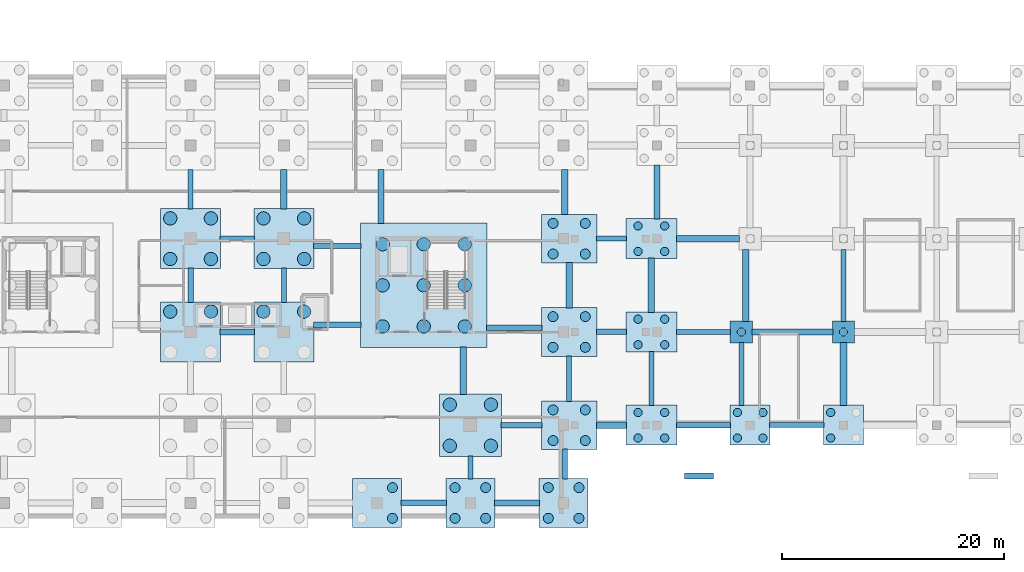
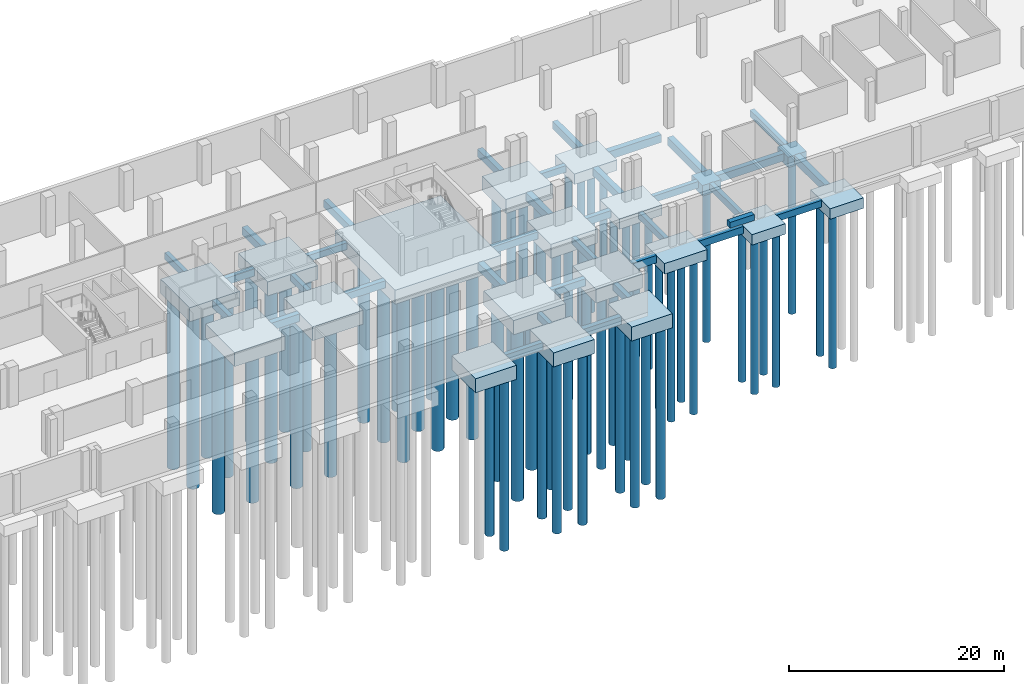
# One storey, part 4 of 17: 67 piles, 54 footings.
"""IFC4 building model written with IfcOpenShell, lengths in metres."""

import ifcopenshell
import ifcopenshell.guid

model = None  # the IFC model being written
_history = None  # IfcOwnerHistory: only IFC2X3 demands one
_inside = {}  # id of a spatial element -> (the spatial element, [elements in it])
_under = {}  # id of a project, library or spatial element -> (it, [spatial elements below it])
_declared = {}  # id of a project -> (the project, [libraries it declares])
_typed = {}  # id of a type object -> (the type object, [elements of that type])
_made_of = {}  # id of a material, layer set ... -> (it, [elements and type objects made of it])


def new_model(schema):
    """Start an empty IFC model of exactly this schema.

    Asked for "IFC4X3", IfcOpenShell would pick the latest addendum, in which some entities
    have other attributes; the version numbers below select the first issue.
    IFC2X3 requires an IfcOwnerHistory on every rooted entity: one is made here for all.
    """
    global model, _history
    if schema == "IFC4X3":
        model = ifcopenshell.file(schema_version=(4, 3, 0, 0))
    else:
        model = ifcopenshell.file(schema=schema)
    _inside.clear()
    _under.clear()
    _declared.clear()
    _typed.clear()
    _made_of.clear()
    _history = None
    if model.schema == "IFC2X3":
        org = make("IfcOrganization", Name="unknown")
        user = make(
            "IfcPersonAndOrganization",
            ThePerson=make("IfcPerson", FamilyName="unknown"),
            TheOrganization=org,
        )
        app = make(
            "IfcApplication",
            ApplicationDeveloper=org,
            Version="unknown",
            ApplicationFullName="unknown",
            ApplicationIdentifier="unknown",
        )
        _history = make(
            "IfcOwnerHistory",
            OwningUser=user,
            OwningApplication=app,
            ChangeAction="ADDED",
            CreationDate=0,
        )
    return model


def make(cls, **values):
    """One entity of the class cls with the attributes given. An attribute that is None is left unset."""
    return model.create_entity(
        cls, **{name: value for name, value in values.items() if value is not None}
    )


def rooted(cls, **values):
    """An entity with a GlobalId (a new one), such as an element, a storey or a relation."""
    return make(cls, GlobalId=ifcopenshell.guid.new(), OwnerHistory=_history, **values)


def si_unit(unit_type, name, prefix=None):
    """IfcSIUnit, for example si_unit("LENGTHUNIT", "METRE", prefix="MILLI")."""
    return make("IfcSIUnit", UnitType=unit_type, Prefix=prefix, Name=name)


def assignment(units):
    """IfcUnitAssignment: the units of a project."""
    return None if units is None else make("IfcUnitAssignment", Units=units)


def point(xyz):
    """IfcCartesianPoint."""
    return None if xyz is None else make("IfcCartesianPoint", Coordinates=xyz)


def direction(xyz):
    """IfcDirection."""
    return None if xyz is None else make("IfcDirection", DirectionRatios=xyz)


def frame(location, z_axis=None, x_axis=None):
    """IfcAxis2Placement3D, a coordinate frame: its origin and axes. An axis left out is left unset."""
    return make(
        "IfcAxis2Placement3D",
        Location=point(location),
        Axis=direction(z_axis),
        RefDirection=direction(x_axis),
    )


def frame_2d(location, x_axis=None):
    """IfcAxis2Placement2D, a coordinate frame in the plane: its origin and x axis."""
    return make(
        "IfcAxis2Placement2D", Location=point(location), RefDirection=direction(x_axis)
    )


def origin():
    """The frame at (0, 0, 0) with its axes left unset."""
    return frame((0.0, 0.0, 0.0))


def origin_2d():
    """The frame at (0, 0) in the plane with its x axis left unset."""
    return frame_2d((0.0, 0.0))


def place(relative_to, where):
    """IfcLocalPlacement: puts the frame where relative to a parent placement (None: the world)."""
    return make(
        "IfcLocalPlacement", PlacementRelTo=relative_to, RelativePlacement=where
    )


def context(
    kind, dimensions, precision=None, world=None, true_north=None, identifier=None
):
    """IfcGeometricRepresentationContext, for example the 3D "Model" context."""
    return make(
        "IfcGeometricRepresentationContext",
        ContextIdentifier=identifier,
        ContextType=kind,
        CoordinateSpaceDimension=dimensions,
        Precision=precision,
        WorldCoordinateSystem=world,
        TrueNorth=true_north,
    )


def subcontext(parent, identifier, kind, view, scale=None):
    """IfcGeometricRepresentationSubContext, for example "Body" below "Model"."""
    return make(
        "IfcGeometricRepresentationSubContext",
        ContextIdentifier=identifier,
        ContextType=kind,
        ParentContext=parent,
        TargetScale=scale,
        TargetView=view,
    )


def project(units=None, contexts=None):
    """IfcProject with its units and contexts."""
    return rooted(
        "IfcProject",
        Name="project",
        RepresentationContexts=contexts,
        UnitsInContext=assignment(units),
    )


def spatial(cls, under=None, at=None, **own):
    """A site, building, storey or space (cls), placed at a placement, below another one or the project."""
    s = rooted(cls, ObjectPlacement=at, **own)
    if under is not None:
        _under.setdefault(under.id(), (under, []))[1].append(s)
    return s


def polyline(points):
    """IfcPolyline through the points."""
    return make("IfcPolyline", Points=[point(p) for p in points])


def profile(cls, at=None, kind="AREA", **sizes):
    """A parametric profile (cls). Its sizes go by their IFC names, for example OverallWidth=200.0."""
    return make(cls, ProfileType=kind, Position=at, **sizes)


def rectangle(**sizes):
    """IfcRectangleProfileDef."""
    return profile("IfcRectangleProfileDef", **sizes)


def circle(**sizes):
    """IfcCircleProfileDef."""
    return profile("IfcCircleProfileDef", **sizes)


def outline(outer, holes=None, kind="AREA"):
    """IfcArbitraryClosedProfileDef: a profile drawn as a closed curve; with holes, ...WithVoids."""
    if holes is None:
        return make("IfcArbitraryClosedProfileDef", ProfileType=kind, OuterCurve=outer)
    return make(
        "IfcArbitraryProfileDefWithVoids",
        ProfileType=kind,
        OuterCurve=outer,
        InnerCurves=holes,
    )


def extrude(swept, where, along, depth):
    """IfcExtrudedAreaSolid: the profile swept, set in the frame where, extruded along a direction by depth."""
    return make(
        "IfcExtrudedAreaSolid",
        SweptArea=swept,
        Position=where,
        ExtrudedDirection=direction(along),
        Depth=depth,
    )


def shape(context_of_items, identifier, shape_type, items):
    """IfcShapeRepresentation: the items that make up one representation, for example the "Body"."""
    return make(
        "IfcShapeRepresentation",
        ContextOfItems=context_of_items,
        RepresentationIdentifier=identifier,
        RepresentationType=shape_type,
        Items=items,
    )


def material(Name=None, Category=None):
    """IfcMaterial."""
    return make("IfcMaterial", Name=Name, Category=Category)


def material_profile(
    of_material, cross_section, Name=None, Category=None, Priority=None
):
    """IfcMaterialProfile: a cross section and its material."""
    return make(
        "IfcMaterialProfile",
        Name=Name,
        Material=of_material,
        Profile=cross_section,
        Priority=Priority,
        Category=Category,
    )


def profile_set(profiles, Name=None, composite=None):
    """IfcMaterialProfileSet."""
    return make(
        "IfcMaterialProfileSet",
        Name=Name,
        MaterialProfiles=profiles,
        CompositeProfile=composite,
    )


def made_of(thing, what):
    """Note that an element or type object is made of a material, layer set ...; save() writes the relation."""
    if what is not None:
        _made_of.setdefault(what.id(), (what, []))[1].append(thing)
    return thing


def type_object(cls, material=None, **own):
    """A type object (cls), such as IfcWallType, which elements share."""
    return made_of(rooted(cls, **own), material)


def element(
    cls,
    number,
    at=None,
    inside=None,
    cuts=None,
    type_object=None,
    material=None,
    context=None,
    identifier="Body",
    shape_type=None,
    held_by="IfcProductDefinitionShape",
    body=None,
    shapes=None,
    **own,
):
    """One element of the class cls, such as IfcWall. Its Tag is "e" and its number.

    at: its placement. inside: the storey or other place that contains it. cuts: it is an
    opening in that element (IfcRelVoidsElement). A single representation is given by context,
    identifier, shape_type and body (its items); several are given by shapes. held_by: the class
    of the entity that holds the representations. save() writes the other relations.
    """
    e = rooted(cls, Tag="e%d" % number, ObjectPlacement=at, **own)
    if body is not None:
        shapes = [shape(context, identifier, shape_type, body)]
    if shapes is not None:
        e.Representation = make(held_by, Representations=shapes)
    if inside is not None:
        _inside.setdefault(inside.id(), (inside, []))[1].append(e)
    if cuts is not None:
        rooted(
            "IfcRelVoidsElement", RelatingBuildingElement=cuts, RelatedOpeningElement=e
        )
    if type_object is not None:
        _typed.setdefault(type_object.id(), (type_object, []))[1].append(e)
    return made_of(e, material)


def aggregate(whole, parts):
    """IfcRelAggregates: a whole, such as a stair, and the parts it consists of."""
    return rooted("IfcRelAggregates", RelatingObject=whole, RelatedObjects=parts)


def save(model, path):
    """Write the relations noted so far, then the file.

    IfcRelAggregates (storeys below a building ...), IfcRelContainedInSpatialStructure (elements
    in a storey), IfcRelDefinesByType, IfcRelAssociatesMaterial and IfcRelDeclares: one each for
    every whole, place, type object, material and project.
    """
    for whole, parts in _under.values():
        aggregate(whole, parts)
    for where, things in _inside.values():
        rooted(
            "IfcRelContainedInSpatialStructure",
            RelatedElements=things,
            RelatingStructure=where,
        )
    for kind, things in _typed.values():
        rooted("IfcRelDefinesByType", RelatedObjects=things, RelatingType=kind)
    for what, things in _made_of.values():
        rooted("IfcRelAssociatesMaterial", RelatedObjects=things, RelatingMaterial=what)
    for by, libraries in _declared.values():
        rooted("IfcRelDeclares", RelatingContext=by, RelatedDefinitions=libraries)
    model.write(path)


model = new_model("IFC4")

# Units and contexts
model_context = context("Model", 3, precision=1e-05, world=origin(), true_north=direction((0.0, 1.0)))
body_context = subcontext(model_context, "Body", "Model", "MODEL_VIEW")
ifc_project = project(units=[si_unit("LENGTHUNIT", "METRE"), si_unit("AREAUNIT", "SQUARE_METRE"), si_unit("VOLUMEUNIT", "CUBIC_METRE"), si_unit("PLANEANGLEUNIT", "RADIAN"), si_unit("MASSUNIT", "GRAM", prefix="KILO")], contexts=[model_context])

# Site, building, storey
site_placement = place(None, origin())
site = spatial("IfcSite", under=ifc_project, at=site_placement, CompositionType="ELEMENT")
building_placement = place(site_placement, origin())
building = spatial("IfcBuilding", under=site, at=building_placement, Name="Telukmera Botanical Conservatory", CompositionType="ELEMENT")
storey_placement = place(building_placement, frame((0.0, 0.0, -4.5)))
storey = spatial("IfcBuildingStorey", under=building, at=storey_placement, Name="B1", CompositionType="ELEMENT", Elevation=-4.5)

# Footings
ifc_material_1 = material(Name="Concrete C50/60", Category="concrete")
footing_type_1 = type_object("IfcFootingType", Name="Cap_PC1", PredefinedType="PILE_CAP", material=ifc_material_1)
for number, where, z_axis, x_axis, name in (
    (1, (125.199951171875, 26.0, -1.64990234375), (0.0, 0.0, 1.0), (1.0, 0.0, 0.0), "Pile Cap G059"),
    (2, (134.39990234375, 26.0, -1.64990234375), (0.0, 0.0, 1.0), (1.0, 0.0, 0.0), "Pile Cap G062"),
):
    element("IfcFooting", number, at=place(storey_placement, frame(where, z_axis=z_axis, x_axis=x_axis)), inside=storey, type_object=footing_type_1, Name=name, PredefinedType="PILE_CAP", context=body_context, shape_type="SweptSolid", body=[
        extrude(rectangle(XDim=2.0, YDim=2.0, at=origin_2d()), origin(), (0.0, 0.0, 1.0), 1.199951171875),
    ])
footing_type_2 = type_object("IfcFootingType", Name="Cap_PC10", PredefinedType="PILE_CAP", material=ifc_material_1)
footing_1_placement = place(storey_placement, frame((100.800048828125, 17.60009765625, -2.050048828125), z_axis=(0.0, 0.0, 1.0), x_axis=(1.0, 0.0, 0.0)))
element("IfcFooting", 3, at=footing_1_placement, inside=storey, type_object=footing_type_2, Name="Pile Cap G030", PredefinedType="PILE_CAP", context=body_context, shape_type="SweptSolid", body=[
    extrude(rectangle(XDim=5.60009765625, YDim=5.60009765625, at=origin_2d()), origin(), (0.0, 0.0, 1.0), 1.60009765625),
])
footing_type_3 = type_object("IfcFootingType", Name="Cap_PC12", PredefinedType="PILE_CAP", material=ifc_material_1)
footing_2_placement = place(storey_placement, frame((96.60009765625, 30.199951171875, -2.050048828125), z_axis=(0.0, 0.0, 1.0), x_axis=(1.0, 0.0, 0.0)))
element("IfcFooting", 4, at=footing_2_placement, inside=storey, type_object=footing_type_3, Name="Core Pile Cap Mat CORE_C2", PredefinedType="PILE_CAP", context=body_context, shape_type="SweptSolid", body=[
    extrude(rectangle(XDim=11.39990234375, YDim=11.199951171875, at=origin_2d()), origin(), (0.0, 0.0, 1.0), 1.60009765625),
])
footing_type_4 = type_object("IfcFootingType", Name="Cap_PC4", PredefinedType="PILE_CAP", material=ifc_material_1)
for number, where, z_axis, x_axis, name in (
    (5, (126.0, 17.60009765625, -1.64990234375), (0.0, 0.0, 1.0), (1.0, 0.0, 0.0), "Pile Cap G044"),
    (6, (134.39990234375, 17.60009765625, -1.64990234375), (0.0, 0.0, 1.0), (1.0, 0.0, 0.0), "Pile Cap G046"),
):
    element("IfcFooting", number, at=place(storey_placement, frame(where, z_axis=z_axis, x_axis=x_axis)), inside=storey, type_object=footing_type_4, Name=name, PredefinedType="PILE_CAP", context=body_context, shape_type="SweptSolid", body=[
        extrude(rectangle(XDim=3.60009765625, YDim=3.60009765625, at=origin_2d()), origin(), (0.0, 0.0, 1.0), 1.199951171875),
    ])
footing_type_5 = type_object("IfcFootingType", Name="Cap_PC5", PredefinedType="PILE_CAP", material=ifc_material_1)
for number, where, z_axis, x_axis, name in (
    (7, (117.10009765625, 17.60009765625, -1.64990234375), (0.0, 0.0, 1.0), (1.0, 0.0, 0.0), "Pile Cap G039"),
    (8, (117.10009765625, 26.0, -1.64990234375), (0.0, 0.0, 1.0), (1.0, 0.0, 0.0), "Pile Cap G040"),
    (9, (117.10009765625, 34.39990234375, -1.64990234375), (0.0, 0.0, 1.0), (1.0, 0.0, 0.0), "Pile Cap G041"),
):
    element("IfcFooting", number, at=place(storey_placement, frame(where, z_axis=z_axis, x_axis=x_axis)), inside=storey, type_object=footing_type_5, Name=name, PredefinedType="PILE_CAP", context=body_context, shape_type="SweptSolid", body=[
        extrude(rectangle(XDim=4.60009765625, YDim=3.60009765625, at=origin_2d()), origin(), (0.0, 0.0, 1.0), 1.199951171875),
    ])
footing_type_6 = type_object("IfcFootingType", Name="Cap_PC7", PredefinedType="PILE_CAP", material=ifc_material_1)
for number, where, z_axis, x_axis, name in (
    (10, (92.39990234375, 10.60009765625, -2.050048828125), (0.0, 0.0, 1.0), (1.0, 0.0, 0.0), "Pile Cap G026"),
    (11, (100.800048828125, 10.60009765625, -2.050048828125), (0.0, 0.0, 1.0), (1.0, 0.0, 0.0), "Pile Cap G029"),
    (12, (109.199951171875, 10.60009765625, -2.050048828125), (0.0, 0.0, 1.0), (1.0, 0.0, 0.0), "Pile Cap G033"),
):
    element("IfcFooting", number, at=place(storey_placement, frame(where, z_axis=z_axis, x_axis=x_axis)), inside=storey, type_object=footing_type_6, Name=name, PredefinedType="PILE_CAP", context=body_context, shape_type="SweptSolid", body=[
        extrude(rectangle(XDim=4.39990234375, YDim=4.39990234375, at=origin_2d()), origin(), (0.0, 0.0, 1.0), 1.60009765625),
    ])
footing_type_7 = type_object("IfcFootingType", Name="Cap_PC8", PredefinedType="PILE_CAP", material=ifc_material_1)
for number, where, z_axis, x_axis, name in (
    (13, (109.699951171875, 17.60009765625, -2.050048828125), (0.0, 0.0, 1.0), (1.0, 0.0, 0.0), "Pile Cap G034"),
    (14, (109.699951171875, 26.0, -2.050048828125), (0.0, 0.0, 1.0), (1.0, 0.0, 0.0), "Pile Cap G035"),
    (15, (109.699951171875, 34.39990234375, -2.050048828125), (0.0, 0.0, 1.0), (1.0, 0.0, 0.0), "Pile Cap G036"),
):
    element("IfcFooting", number, at=place(storey_placement, frame(where, z_axis=z_axis, x_axis=x_axis)), inside=storey, type_object=footing_type_7, Name=name, PredefinedType="PILE_CAP", context=body_context, shape_type="SweptSolid", body=[
        extrude(rectangle(XDim=5.0, YDim=4.39990234375, at=origin_2d()), origin(), (0.0, 0.0, 1.0), 1.60009765625),
    ])
footing_type_8 = type_object("IfcFootingType", Name="Cap_PC9", PredefinedType="PILE_CAP", material=ifc_material_1)
for number, where, z_axis, x_axis, name in (
    (16, (75.60009765625, 26.0, -2.050048828125), (0.0, 0.0, 1.0), (1.0, 0.0, 0.0), "Pile Cap G016"),
    (17, (75.60009765625, 34.39990234375, -2.050048828125), (0.0, 0.0, 1.0), (1.0, 0.0, 0.0), "Pile Cap G017"),
    (18, (84.0, 26.0, -2.050048828125), (0.0, 0.0, 1.0), (1.0, 0.0, 0.0), "Pile Cap G022"),
    (19, (84.0, 34.39990234375, -2.050048828125), (0.0, 0.0, 1.0), (1.0, 0.0, 0.0), "Pile Cap G023"),
):
    element("IfcFooting", number, at=place(storey_placement, frame(where, z_axis=z_axis, x_axis=x_axis)), inside=storey, type_object=footing_type_8, Name=name, PredefinedType="PILE_CAP", context=body_context, shape_type="SweptSolid", body=[
        extrude(rectangle(XDim=5.39990234375, YDim=5.39990234375, at=origin_2d()), origin(), (0.0, 0.0, 1.0), 1.60009765625),
    ])
ifc_material_2 = material(Name="Concrete C40/50", Category="concrete")
ifc_material_profile_1 = material_profile(ifc_material_2, rectangle(XDim=0.60009765625, YDim=0.89990234375, at=origin_2d()), Name="RC 600x900")
ifc_profile_set_1 = profile_set([ifc_material_profile_1], Name="Concrete C40/50")
footing_type_9 = type_object("IfcFootingType", Name="GroundBeam_GB1", PredefinedType="FOOTING_BEAM", material=ifc_profile_set_1)
footing_3_placement = place(storey_placement, frame((119.360107421875, 34.39990234375, -0.89990234375), z_axis=(1.0, 0.0, 0.0), x_axis=(0.0, 1.0, 0.0)))
element("IfcFooting", 20, at=footing_3_placement, inside=storey, type_object=footing_type_9, Name="Ground Tie Beam GBX-040", PredefinedType="FOOTING_BEAM", context=body_context, shape_type="SweptSolid", body=[
    extrude(rectangle(XDim=0.60009765625, YDim=0.89990234375, at=origin_2d()), origin(), (0.0, 0.0, 1.0), 5.679931640625),
])
footing_4_placement = place(storey_placement, frame((84.0, 37.06005859375, -0.89990234375), z_axis=(0.0, 1.0, 0.0), x_axis=(-1.0, 0.0, 0.0)))
element("IfcFooting", 21, at=footing_4_placement, inside=storey, type_object=footing_type_9, Name="Ground Tie Beam GBY-144", PredefinedType="FOOTING_BEAM", context=body_context, shape_type="SweptSolid", body=[
    extrude(rectangle(XDim=0.60009765625, YDim=0.89990234375, at=origin_2d()), origin(), (0.0, 0.0, 1.0), 3.579833984375),
])
footing_5_placement = place(storey_placement, frame((100.14990234375, 20.360107421875, -0.89990234375), z_axis=(0.0, 1.0, 0.0), x_axis=(-1.0, 0.0, 0.0)))
element("IfcFooting", 22, at=footing_5_placement, inside=storey, type_object=footing_type_9, Name="Ground Tie Beam GBY-148", PredefinedType="FOOTING_BEAM", context=body_context, shape_type="SweptSolid", body=[
    extrude(rectangle(XDim=0.60009765625, YDim=0.89990234375, at=origin_2d()), origin(), (0.0, 0.0, 1.0), 4.27978515625),
])
footing_6_placement = place(storey_placement, frame((109.699951171875, 28.159912109375, -0.89990234375), z_axis=(0.0, 1.0, 0.0), x_axis=(-1.0, 0.0, 0.0)))
element("IfcFooting", 23, at=footing_6_placement, inside=storey, type_object=footing_type_9, Name="Ground Tie Beam GBY-152", PredefinedType="FOOTING_BEAM", context=body_context, shape_type="SweptSolid", body=[
    extrude(rectangle(XDim=0.60009765625, YDim=0.89990234375, at=origin_2d()), origin(), (0.0, 0.0, 1.0), 4.080078125),
])
footing_7_placement = place(storey_placement, frame((117.10009765625, 27.760009765625, -0.89990234375), z_axis=(0.0, 1.0, 0.0), x_axis=(-1.0, 0.0, 0.0)))
element("IfcFooting", 24, at=footing_7_placement, inside=storey, type_object=footing_type_9, Name="Ground Tie Beam GBY-156", PredefinedType="FOOTING_BEAM", context=body_context, shape_type="SweptSolid", body=[
    extrude(rectangle(XDim=0.60009765625, YDim=0.89990234375, at=origin_2d()), origin(), (0.0, 0.0, 1.0), 4.8798828125),
])
footing_8_placement = place(storey_placement, frame((134.39990234375, 19.360107421875, -0.89990234375), z_axis=(0.0, 1.0, 0.0), x_axis=(-1.0, 0.0, 0.0)))
element("IfcFooting", 25, at=footing_8_placement, inside=storey, type_object=footing_type_9, Name="Ground Tie Beam GBY-160", PredefinedType="FOOTING_BEAM", context=body_context, shape_type="SweptSolid", body=[
    extrude(rectangle(XDim=0.60009765625, YDim=0.89990234375, at=origin_2d()), origin(), (0.0, 0.0, 1.0), 5.679931640625),
])
footing_9_placement = place(storey_placement, frame((125.60009765625, 26.9599609375, -0.89990234375), z_axis=(0.0, 1.0, 0.0), x_axis=(-1.0, 0.0, 0.0)))
element("IfcFooting", 26, at=footing_9_placement, inside=storey, type_object=footing_type_9, Name="Ground Tie Beam GBY-168", PredefinedType="FOOTING_BEAM", context=body_context, shape_type="SweptSolid", body=[
    extrude(rectangle(XDim=0.60009765625, YDim=0.89990234375, at=origin_2d()), origin(), (0.0, 0.0, 1.0), 6.47998046875),
])
ifc_material_profile_2 = material_profile(ifc_material_2, rectangle(XDim=0.550048828125, YDim=0.85009765625, at=origin_2d()), Name="RC 550x850")
ifc_profile_set_2 = profile_set([ifc_material_profile_2], Name="Concrete C40/50")
footing_type_10 = type_object("IfcFootingType", Name="GroundBeam_GB2", PredefinedType="FOOTING_BEAM", material=ifc_profile_set_2)
footing_10_placement = place(storey_placement, frame((78.260009765625, 26.0, -0.875), z_axis=(1.0, 0.0, 0.0), x_axis=(0.0, 1.0, 0.0)))
element("IfcFooting", 27, at=footing_10_placement, inside=storey, type_object=footing_type_10, Name="Ground Tie Beam GBX-017", PredefinedType="FOOTING_BEAM", context=body_context, shape_type="SweptSolid", body=[
    extrude(rectangle(XDim=0.550048828125, YDim=0.85009765625, at=origin_2d()), origin(), (0.0, 0.0, 1.0), 3.080078125),
])
footing_11_placement = place(storey_placement, frame((102.9599609375, 10.60009765625, -0.875), z_axis=(1.0, 0.0, 0.0), x_axis=(0.0, 1.0, 0.0)))
element("IfcFooting", 28, at=footing_11_placement, inside=storey, type_object=footing_type_10, Name="Ground Tie Beam GBX-029", PredefinedType="FOOTING_BEAM", context=body_context, shape_type="SweptSolid", body=[
    extrude(rectangle(XDim=0.550048828125, YDim=0.85009765625, at=origin_2d()), origin(), (0.0, 0.0, 1.0), 4.080078125),
])
footing_12_placement = place(storey_placement, frame((112.159912109375, 17.60009765625, -0.875), z_axis=(1.0, 0.0, 0.0), x_axis=(0.0, 1.0, 0.0)))
element("IfcFooting", 29, at=footing_12_placement, inside=storey, type_object=footing_type_10, Name="Ground Tie Beam GBX-033", PredefinedType="FOOTING_BEAM", context=body_context, shape_type="SweptSolid", body=[
    extrude(rectangle(XDim=0.550048828125, YDim=0.85009765625, at=origin_2d()), origin(), (0.0, 0.0, 1.0), 2.68017578125),
])
footing_13_placement = place(storey_placement, frame((126.159912109375, 26.0, -0.875), z_axis=(1.0, 0.0, 0.0), x_axis=(0.0, 1.0, 0.0)))
element("IfcFooting", 30, at=footing_13_placement, inside=storey, type_object=footing_type_10, Name="Ground Tie Beam GBX-053", PredefinedType="FOOTING_BEAM", context=body_context, shape_type="SweptSolid", body=[
    extrude(rectangle(XDim=0.550048828125, YDim=0.85009765625, at=origin_2d()), origin(), (0.0, 0.0, 1.0), 7.280029296875),
])
footing_14_placement = place(storey_placement, frame((92.75, 35.760009765625, -0.875), z_axis=(0.0, 1.0, 0.0), x_axis=(-1.0, 0.0, 0.0)))
element("IfcFooting", 31, at=footing_14_placement, inside=storey, type_object=footing_type_10, Name="Ground Tie Beam GBY-125", PredefinedType="FOOTING_BEAM", context=body_context, shape_type="SweptSolid", body=[
    extrude(rectangle(XDim=0.550048828125, YDim=0.85009765625, at=origin_2d()), origin(), (0.0, 0.0, 1.0), 4.8798828125),
])
footing_15_placement = place(storey_placement, frame((109.300048828125, 36.56005859375, -0.875), z_axis=(0.0, 1.0, 0.0), x_axis=(-1.0, 0.0, 0.0)))
element("IfcFooting", 32, at=footing_15_placement, inside=storey, type_object=footing_type_10, Name="Ground Tie Beam GBY-153", PredefinedType="FOOTING_BEAM", context=body_context, shape_type="SweptSolid", body=[
    extrude(rectangle(XDim=0.550048828125, YDim=0.85009765625, at=origin_2d()), origin(), (0.0, 0.0, 1.0), 4.079833984375),
])
footing_16_placement = place(storey_placement, frame((117.60009765625, 36.159912109375, -0.875), z_axis=(0.0, 1.0, 0.0), x_axis=(-1.0, 0.0, 0.0)))
element("IfcFooting", 33, at=footing_16_placement, inside=storey, type_object=footing_type_10, Name="Ground Tie Beam GBY-157", PredefinedType="FOOTING_BEAM", context=body_context, shape_type="SweptSolid", body=[
    extrude(rectangle(XDim=0.550048828125, YDim=0.85009765625, at=origin_2d()), origin(), (0.0, 0.0, 1.0), 4.880126953125),
])
ifc_material_profile_3 = material_profile(ifc_material_2, rectangle(XDim=0.5, YDim=0.800048828125, at=origin_2d()), Name="RC 500x800")
ifc_profile_set_3 = profile_set([ifc_material_profile_3], Name="Concrete C40/50")
footing_type_11 = type_object("IfcFootingType", Name="GroundBeam_GB3", PredefinedType="FOOTING_BEAM", material=ifc_profile_set_3)
footing_17_placement = place(storey_placement, frame((102.260009765625, 26.39990234375, -0.85009765625), z_axis=(1.0, 0.0, 0.0), x_axis=(0.0, 1.0, 0.0)))
element("IfcFooting", 34, at=footing_17_placement, inside=storey, type_object=footing_type_11, Name="Ground Tie Beam GBX-002", PredefinedType="FOOTING_BEAM", context=body_context, shape_type="SweptSolid", body=[
    extrude(rectangle(XDim=0.5, YDim=0.800048828125, at=origin_2d()), origin(), (0.0, 0.0, 1.0), 4.97998046875),
])
footing_18_placement = place(storey_placement, frame((78.260009765625, 34.39990234375, -0.85009765625), z_axis=(1.0, 0.0, 0.0), x_axis=(0.0, 1.0, 0.0)))
element("IfcFooting", 35, at=footing_18_placement, inside=storey, type_object=footing_type_11, Name="Ground Tie Beam GBX-018", PredefinedType="FOOTING_BEAM", context=body_context, shape_type="SweptSolid", body=[
    extrude(rectangle(XDim=0.5, YDim=0.800048828125, at=origin_2d()), origin(), (0.0, 0.0, 1.0), 3.080078125),
])
footing_19_placement = place(storey_placement, frame((86.659912109375, 26.64990234375, -0.85009765625), z_axis=(1.0, 0.0, 0.0), x_axis=(0.0, 1.0, 0.0)))
element("IfcFooting", 36, at=footing_19_placement, inside=storey, type_object=footing_type_11, Name="Ground Tie Beam GBX-022", PredefinedType="FOOTING_BEAM", context=body_context, shape_type="SweptSolid", body=[
    extrude(rectangle(XDim=0.5, YDim=0.800048828125, at=origin_2d()), origin(), (0.0, 0.0, 1.0), 4.280029296875),
])
footing_20_placement = place(storey_placement, frame((94.56005859375, 10.60009765625, -0.85009765625), z_axis=(1.0, 0.0, 0.0), x_axis=(0.0, 1.0, 0.0)))
element("IfcFooting", 37, at=footing_20_placement, inside=storey, type_object=footing_type_11, Name="Ground Tie Beam GBX-026", PredefinedType="FOOTING_BEAM", context=body_context, shape_type="SweptSolid", body=[
    extrude(rectangle(XDim=0.5, YDim=0.800048828125, at=origin_2d()), origin(), (0.0, 0.0, 1.0), 4.079833984375),
])
footing_21_placement = place(storey_placement, frame((103.56005859375, 17.60009765625, -0.85009765625), z_axis=(1.0, 0.0, 0.0), x_axis=(0.0, 1.0, 0.0)))
element("IfcFooting", 38, at=footing_21_placement, inside=storey, type_object=footing_type_11, Name="Ground Tie Beam GBX-030", PredefinedType="FOOTING_BEAM", context=body_context, shape_type="SweptSolid", body=[
    extrude(rectangle(XDim=0.5, YDim=0.800048828125, at=origin_2d()), origin(), (0.0, 0.0, 1.0), 3.679931640625),
])
footing_22_placement = place(storey_placement, frame((112.159912109375, 26.0, -0.85009765625), z_axis=(1.0, 0.0, 0.0), x_axis=(0.0, 1.0, 0.0)))
element("IfcFooting", 39, at=footing_22_placement, inside=storey, type_object=footing_type_11, Name="Ground Tie Beam GBX-034", PredefinedType="FOOTING_BEAM", context=body_context, shape_type="SweptSolid", body=[
    extrude(rectangle(XDim=0.5, YDim=0.800048828125, at=origin_2d()), origin(), (0.0, 0.0, 1.0), 2.68017578125),
])
footing_23_placement = place(storey_placement, frame((119.360107421875, 17.60009765625, -0.85009765625), z_axis=(1.0, 0.0, 0.0), x_axis=(0.0, 1.0, 0.0)))
element("IfcFooting", 40, at=footing_23_placement, inside=storey, type_object=footing_type_11, Name="Ground Tie Beam GBX-038", PredefinedType="FOOTING_BEAM", context=body_context, shape_type="SweptSolid", body=[
    extrude(rectangle(XDim=0.5, YDim=0.800048828125, at=origin_2d()), origin(), (0.0, 0.0, 1.0), 4.8798828125),
])
footing_24_placement = place(storey_placement, frame((75.60009765625, 28.659912109375, -0.85009765625), z_axis=(0.0, 1.0, 0.0), x_axis=(-1.0, 0.0, 0.0)))
element("IfcFooting", 41, at=footing_24_placement, inside=storey, type_object=footing_type_11, Name="Ground Tie Beam GBY-138", PredefinedType="FOOTING_BEAM", context=body_context, shape_type="SweptSolid", body=[
    extrude(rectangle(XDim=0.5, YDim=0.800048828125, at=origin_2d()), origin(), (0.0, 0.0, 1.0), 3.080078125),
])
footing_25_placement = place(storey_placement, frame((109.300048828125, 12.760009765625, -0.85009765625), z_axis=(0.0, 1.0, 0.0), x_axis=(-1.0, 0.0, 0.0)))
element("IfcFooting", 42, at=footing_25_placement, inside=storey, type_object=footing_type_11, Name="Ground Tie Beam GBY-150", PredefinedType="FOOTING_BEAM", context=body_context, shape_type="SweptSolid", body=[
    extrude(rectangle(XDim=0.5, YDim=0.800048828125, at=origin_2d()), origin(), (0.0, 0.0, 1.0), 2.679931640625),
])
ifc_material_profile_4 = material_profile(ifc_material_2, rectangle(XDim=0.449951171875, YDim=0.75, at=origin_2d()), Name="RC 450x750")
ifc_profile_set_4 = profile_set([ifc_material_profile_4], Name="Concrete C40/50")
footing_type_12 = type_object("IfcFootingType", Name="GroundBeam_GB4", PredefinedType="FOOTING_BEAM", material=ifc_profile_set_4)
footing_26_placement = place(storey_placement, frame((86.659912109375, 33.75, -0.824951171875), z_axis=(1.0, 0.0, 0.0), x_axis=(0.0, 1.0, 0.0)))
element("IfcFooting", 43, at=footing_26_placement, inside=storey, type_object=footing_type_12, Name="Ground Tie Beam GBX-023", PredefinedType="FOOTING_BEAM", context=body_context, shape_type="SweptSolid", body=[
    extrude(rectangle(XDim=0.449951171875, YDim=0.75, at=origin_2d()), origin(), (0.0, 0.0, 1.0), 4.280029296875),
])
footing_27_placement = place(storey_placement, frame((112.159912109375, 34.39990234375, -0.824951171875), z_axis=(1.0, 0.0, 0.0), x_axis=(0.0, 1.0, 0.0)))
element("IfcFooting", 44, at=footing_27_placement, inside=storey, type_object=footing_type_12, Name="Ground Tie Beam GBX-035", PredefinedType="FOOTING_BEAM", context=body_context, shape_type="SweptSolid", body=[
    extrude(rectangle(XDim=0.449951171875, YDim=0.75, at=origin_2d()), origin(), (0.0, 0.0, 1.0), 2.68017578125),
])
for number, where, z_axis, x_axis, name in (
    (45, (119.360107421875, 26.0, -0.824951171875), (1.0, 0.0, 0.0), (0.0, 1.0, 0.0), "Ground Tie Beam GBX-039"),
    (46, (127.760009765625, 17.60009765625, -0.824951171875), (1.0, 0.0, 0.0), (0.0, 1.0, 0.0), "Ground Tie Beam GBX-043"),
):
    element("IfcFooting", number, at=place(storey_placement, frame(where, z_axis=z_axis, x_axis=x_axis)), inside=storey, type_object=footing_type_12, Name=name, PredefinedType="FOOTING_BEAM", context=body_context, shape_type="SweptSolid", body=[
        extrude(rectangle(XDim=0.449951171875, YDim=0.75, at=origin_2d()), origin(), (0.0, 0.0, 1.0), 4.8798828125),
    ])
footing_28_placement = place(storey_placement, frame((75.60009765625, 37.06005859375, -0.824951171875), z_axis=(0.0, 1.0, 0.0), x_axis=(-1.0, 0.0, 0.0)))
element("IfcFooting", 47, at=footing_28_placement, inside=storey, type_object=footing_type_12, Name="Ground Tie Beam GBY-139", PredefinedType="FOOTING_BEAM", context=body_context, shape_type="SweptSolid", body=[
    extrude(rectangle(XDim=0.449951171875, YDim=0.75, at=origin_2d()), origin(), (0.0, 0.0, 1.0), 3.579833984375),
])
footing_29_placement = place(storey_placement, frame((84.0, 28.659912109375, -0.824951171875), z_axis=(0.0, 1.0, 0.0), x_axis=(-1.0, 0.0, 0.0)))
element("IfcFooting", 48, at=footing_29_placement, inside=storey, type_object=footing_type_12, Name="Ground Tie Beam GBY-143", PredefinedType="FOOTING_BEAM", context=body_context, shape_type="SweptSolid", body=[
    extrude(rectangle(XDim=0.449951171875, YDim=0.75, at=origin_2d()), origin(), (0.0, 0.0, 1.0), 3.080078125),
])
footing_30_placement = place(storey_placement, frame((100.800048828125, 12.760009765625, -0.824951171875), z_axis=(0.0, 1.0, 0.0), x_axis=(-1.0, 0.0, 0.0)))
element("IfcFooting", 49, at=footing_30_placement, inside=storey, type_object=footing_type_12, Name="Ground Tie Beam GBY-147", PredefinedType="FOOTING_BEAM", context=body_context, shape_type="SweptSolid", body=[
    extrude(rectangle(XDim=0.449951171875, YDim=0.75, at=origin_2d()), origin(), (0.0, 0.0, 1.0), 2.080078125),
])
footing_31_placement = place(storey_placement, frame((109.699951171875, 19.760009765625, -0.824951171875), z_axis=(0.0, 1.0, 0.0), x_axis=(-1.0, 0.0, 0.0)))
element("IfcFooting", 50, at=footing_31_placement, inside=storey, type_object=footing_type_12, Name="Ground Tie Beam GBY-151", PredefinedType="FOOTING_BEAM", context=body_context, shape_type="SweptSolid", body=[
    extrude(rectangle(XDim=0.449951171875, YDim=0.75, at=origin_2d()), origin(), (0.0, 0.0, 1.0), 4.080078125),
])
footing_32_placement = place(storey_placement, frame((117.10009765625, 19.360107421875, -0.824951171875), z_axis=(0.0, 1.0, 0.0), x_axis=(-1.0, 0.0, 0.0)))
element("IfcFooting", 51, at=footing_32_placement, inside=storey, type_object=footing_type_12, Name="Ground Tie Beam GBY-155", PredefinedType="FOOTING_BEAM", context=body_context, shape_type="SweptSolid", body=[
    extrude(rectangle(XDim=0.449951171875, YDim=0.75, at=origin_2d()), origin(), (0.0, 0.0, 1.0), 4.8798828125),
])
footing_33_placement = place(storey_placement, frame((125.199951171875, 19.360107421875, -0.824951171875), z_axis=(0.0, 1.0, 0.0), x_axis=(-1.0, 0.0, 0.0)))
element("IfcFooting", 52, at=footing_33_placement, inside=storey, type_object=footing_type_12, Name="Ground Tie Beam GBY-159", PredefinedType="FOOTING_BEAM", context=body_context, shape_type="SweptSolid", body=[
    extrude(rectangle(XDim=0.449951171875, YDim=0.75, at=origin_2d()), origin(), (0.0, 0.0, 1.0), 5.679931640625),
])
footing_34_placement = place(storey_placement, frame((134.39990234375, 26.9599609375, -0.824951171875), z_axis=(0.0, 1.0, 0.0), x_axis=(-1.0, 0.0, 0.0)))
element("IfcFooting", 53, at=footing_34_placement, inside=storey, type_object=footing_type_12, Name="Ground Tie Beam GBY-171", PredefinedType="FOOTING_BEAM", context=body_context, shape_type="SweptSolid", body=[
    extrude(rectangle(XDim=0.449951171875, YDim=0.75, at=origin_2d()), origin(), (0.0, 0.0, 1.0), 6.47998046875),
])

# Piles
ifc_material_profile_5 = material_profile(ifc_material_2, circle(Radius=0.60009765625, at=origin_2d()), Name="PILE D1200")
ifc_profile_set_5 = profile_set([ifc_material_profile_5], Name="Concrete C40/50")
pile_type_1 = type_object("IfcPileType", Name="Pile_PL1", PredefinedType="BORED", material=ifc_profile_set_5)
for number, where, z_axis, x_axis, name in (
    (54, (92.89990234375, 26.5, -1.949951171875), (0.0, 0.0, -1.0), (1.0, 0.0, 0.0), "Bored Pile CORE_C2-1"),
    (55, (92.89990234375, 30.199951171875, -1.949951171875), (0.0, 0.0, -1.0), (1.0, 0.0, 0.0), "Bored Pile CORE_C2-2"),
    (56, (92.89990234375, 33.89990234375, -1.949951171875), (0.0, 0.0, -1.0), (1.0, 0.0, 0.0), "Bored Pile CORE_C2-3"),
    (57, (96.60009765625, 26.5, -1.949951171875), (0.0, 0.0, -1.0), (1.0, 0.0, 0.0), "Bored Pile CORE_C2-4"),
    (58, (96.60009765625, 30.199951171875, -1.949951171875), (0.0, 0.0, -1.0), (1.0, 0.0, 0.0), "Bored Pile CORE_C2-5"),
    (59, (96.60009765625, 33.89990234375, -1.949951171875), (0.0, 0.0, -1.0), (1.0, 0.0, 0.0), "Bored Pile CORE_C2-6"),
    (60, (100.300048828125, 26.5, -1.949951171875), (0.0, 0.0, -1.0), (1.0, 0.0, 0.0), "Bored Pile CORE_C2-7"),
    (61, (100.300048828125, 30.199951171875, -1.949951171875), (0.0, 0.0, -1.0), (1.0, 0.0, 0.0), "Bored Pile CORE_C2-8"),
    (62, (100.300048828125, 33.89990234375, -1.949951171875), (0.0, 0.0, -1.0), (1.0, 0.0, 0.0), "Bored Pile CORE_C2-9"),
    (63, (73.77001953125, 27.830078125, -1.949951171875), (0.0, 0.0, -1.0), (1.0, 0.0, 0.0), "Bored Pile G016-3"),
    (64, (77.429931640625, 27.830078125, -1.949951171875), (0.0, 0.0, -1.0), (1.0, 0.0, 0.0), "Bored Pile G016-4"),
    (65, (73.77001953125, 32.570068359375, -1.949951171875), (0.0, 0.0, -1.0), (1.0, 0.0, 0.0), "Bored Pile G017-1"),
    (66, (77.429931640625, 32.570068359375, -1.949951171875), (0.0, 0.0, -1.0), (1.0, 0.0, 0.0), "Bored Pile G017-2"),
    (67, (73.77001953125, 36.22998046875, -1.949951171875), (0.0, 0.0, -1.0), (1.0, 0.0, 0.0), "Bored Pile G017-3"),
    (68, (77.429931640625, 36.22998046875, -1.949951171875), (0.0, 0.0, -1.0), (1.0, 0.0, 0.0), "Bored Pile G017-4"),
    (69, (82.169921875, 27.830078125, -1.949951171875), (0.0, 0.0, -1.0), (1.0, 0.0, 0.0), "Bored Pile G022-3"),
    (70, (85.830078125, 27.830078125, -1.949951171875), (0.0, 0.0, -1.0), (1.0, 0.0, 0.0), "Bored Pile G022-4"),
    (71, (82.169921875, 32.570068359375, -1.949951171875), (0.0, 0.0, -1.0), (1.0, 0.0, 0.0), "Bored Pile G023-1"),
    (72, (85.830078125, 32.570068359375, -1.949951171875), (0.0, 0.0, -1.0), (1.0, 0.0, 0.0), "Bored Pile G023-2"),
    (73, (82.169921875, 36.22998046875, -1.949951171875), (0.0, 0.0, -1.0), (1.0, 0.0, 0.0), "Bored Pile G023-3"),
    (74, (85.830078125, 36.22998046875, -1.949951171875), (0.0, 0.0, -1.0), (1.0, 0.0, 0.0), "Bored Pile G023-4"),
    (75, (98.949951171875, 15.75, -1.949951171875), (0.0, 0.0, -1.0), (1.0, 0.0, 0.0), "Bored Pile G030-1"),
    (76, (102.64990234375, 15.75, -1.949951171875), (0.0, 0.0, -1.0), (1.0, 0.0, 0.0), "Bored Pile G030-2"),
    (77, (98.949951171875, 19.449951171875, -1.949951171875), (0.0, 0.0, -1.0), (1.0, 0.0, 0.0), "Bored Pile G030-3"),
    (78, (102.64990234375, 19.449951171875, -1.949951171875), (0.0, 0.0, -1.0), (1.0, 0.0, 0.0), "Bored Pile G030-4"),
):
    element("IfcPile", number, at=place(storey_placement, frame(where, z_axis=z_axis, x_axis=x_axis)), inside=storey, type_object=pile_type_1, Name=name, PredefinedType="BORED", context=body_context, shape_type="SweptSolid", body=[
        extrude(circle(Radius=0.60009765625, at=origin_2d()), origin(), (0.0, 0.0, 1.0), 19.550048828125),
    ])
ifc_material_profile_6 = material_profile(ifc_material_2, circle(Radius=0.449951171875, at=origin_2d()), Name="PILE D900")
ifc_profile_set_6 = profile_set([ifc_material_profile_6], Name="Concrete C40/50")
pile_type_2 = type_object("IfcPileType", Name="Pile_PL2", PredefinedType="BORED", material=ifc_profile_set_6)
for number, where, z_axis, x_axis, name in (
    (79, (93.780029296875, 9.219970703125, -1.949951171875), (0.0, 0.0, -1.0), (1.0, 0.0, 0.0), "Bored Pile G026-2"),
    (80, (93.780029296875, 11.97998046875, -1.949951171875), (0.0, 0.0, -1.0), (1.0, 0.0, 0.0), "Bored Pile G026-4"),
    (81, (99.419921875, 9.219970703125, -1.949951171875), (0.0, 0.0, -1.0), (1.0, 0.0, 0.0), "Bored Pile G029-1"),
    (82, (102.179931640625, 9.219970703125, -1.949951171875), (0.0, 0.0, -1.0), (1.0, 0.0, 0.0), "Bored Pile G029-2"),
    (83, (99.419921875, 11.97998046875, -1.949951171875), (0.0, 0.0, -1.0), (1.0, 0.0, 0.0), "Bored Pile G029-3"),
    (84, (102.179931640625, 11.97998046875, -1.949951171875), (0.0, 0.0, -1.0), (1.0, 0.0, 0.0), "Bored Pile G029-4"),
    (85, (107.820068359375, 9.219970703125, -1.949951171875), (0.0, 0.0, -1.0), (1.0, 0.0, 0.0), "Bored Pile G033-1"),
    (86, (110.580078125, 9.219970703125, -1.949951171875), (0.0, 0.0, -1.0), (1.0, 0.0, 0.0), "Bored Pile G033-2"),
    (87, (107.820068359375, 11.97998046875, -1.949951171875), (0.0, 0.0, -1.0), (1.0, 0.0, 0.0), "Bored Pile G033-3"),
    (88, (110.580078125, 11.97998046875, -1.949951171875), (0.0, 0.0, -1.0), (1.0, 0.0, 0.0), "Bored Pile G033-4"),
    (89, (108.25, 16.219970703125, -1.949951171875), (0.0, 0.0, -1.0), (1.0, 0.0, 0.0), "Bored Pile G034-1"),
    (90, (111.14990234375, 16.219970703125, -1.949951171875), (0.0, 0.0, -1.0), (1.0, 0.0, 0.0), "Bored Pile G034-2"),
    (91, (108.25, 18.97998046875, -1.949951171875), (0.0, 0.0, -1.0), (1.0, 0.0, 0.0), "Bored Pile G034-3"),
    (92, (111.14990234375, 18.97998046875, -1.949951171875), (0.0, 0.0, -1.0), (1.0, 0.0, 0.0), "Bored Pile G034-4"),
    (93, (108.25, 24.6201171875, -1.949951171875), (0.0, 0.0, -1.0), (1.0, 0.0, 0.0), "Bored Pile G035-1"),
    (94, (111.14990234375, 24.6201171875, -1.949951171875), (0.0, 0.0, -1.0), (1.0, 0.0, 0.0), "Bored Pile G035-2"),
    (95, (108.25, 27.3798828125, -1.949951171875), (0.0, 0.0, -1.0), (1.0, 0.0, 0.0), "Bored Pile G035-3"),
    (96, (111.14990234375, 27.3798828125, -1.949951171875), (0.0, 0.0, -1.0), (1.0, 0.0, 0.0), "Bored Pile G035-4"),
    (97, (108.25, 33.02001953125, -1.949951171875), (0.0, 0.0, -1.0), (1.0, 0.0, 0.0), "Bored Pile G036-1"),
    (98, (111.14990234375, 33.02001953125, -1.949951171875), (0.0, 0.0, -1.0), (1.0, 0.0, 0.0), "Bored Pile G036-2"),
    (99, (108.25, 35.780029296875, -1.949951171875), (0.0, 0.0, -1.0), (1.0, 0.0, 0.0), "Bored Pile G036-3"),
    (100, (111.14990234375, 35.780029296875, -1.949951171875), (0.0, 0.0, -1.0), (1.0, 0.0, 0.0), "Bored Pile G036-4"),
):
    element("IfcPile", number, at=place(storey_placement, frame(where, z_axis=z_axis, x_axis=x_axis)), inside=storey, type_object=pile_type_2, Name=name, PredefinedType="BORED", context=body_context, shape_type="SweptSolid", body=[
        extrude(circle(Radius=0.449951171875, at=origin_2d()), origin(), (0.0, 0.0, 1.0), 19.550048828125),
    ])
ifc_material_profile_7 = material_profile(ifc_material_2, circle(Radius=0.375, at=origin_2d()), Name="PILE D750")
ifc_profile_set_7 = profile_set([ifc_material_profile_7], Name="Concrete C40/50")
pile_type_3 = type_object("IfcPileType", Name="Pile_PL3", PredefinedType="BORED", material=ifc_profile_set_7)
for number, where, z_axis, x_axis, name in (
    (101, (115.89990234375, 16.449951171875, -1.550048828125), (0.0, 0.0, -1.0), (1.0, 0.0, 0.0), "Bored Pile G039-1"),
    (102, (118.300048828125, 16.449951171875, -1.550048828125), (0.0, 0.0, -1.0), (1.0, 0.0, 0.0), "Bored Pile G039-2"),
    (103, (115.89990234375, 18.75, -1.550048828125), (0.0, 0.0, -1.0), (1.0, 0.0, 0.0), "Bored Pile G039-3"),
    (104, (118.300048828125, 18.75, -1.550048828125), (0.0, 0.0, -1.0), (1.0, 0.0, 0.0), "Bored Pile G039-4"),
    (105, (115.89990234375, 24.85009765625, -1.550048828125), (0.0, 0.0, -1.0), (1.0, 0.0, 0.0), "Bored Pile G040-1"),
    (106, (118.300048828125, 24.85009765625, -1.550048828125), (0.0, 0.0, -1.0), (1.0, 0.0, 0.0), "Bored Pile G040-2"),
    (107, (115.89990234375, 27.14990234375, -1.550048828125), (0.0, 0.0, -1.0), (1.0, 0.0, 0.0), "Bored Pile G040-3"),
    (108, (118.300048828125, 27.14990234375, -1.550048828125), (0.0, 0.0, -1.0), (1.0, 0.0, 0.0), "Bored Pile G040-4"),
    (109, (115.89990234375, 33.25, -1.550048828125), (0.0, 0.0, -1.0), (1.0, 0.0, 0.0), "Bored Pile G041-1"),
    (110, (118.300048828125, 33.25, -1.550048828125), (0.0, 0.0, -1.0), (1.0, 0.0, 0.0), "Bored Pile G041-2"),
    (111, (115.89990234375, 35.550048828125, -1.550048828125), (0.0, 0.0, -1.0), (1.0, 0.0, 0.0), "Bored Pile G041-3"),
    (112, (118.300048828125, 35.550048828125, -1.550048828125), (0.0, 0.0, -1.0), (1.0, 0.0, 0.0), "Bored Pile G041-4"),
    (113, (124.85009765625, 16.449951171875, -1.550048828125), (0.0, 0.0, -1.0), (1.0, 0.0, 0.0), "Bored Pile G044-1"),
    (114, (127.14990234375, 16.449951171875, -1.550048828125), (0.0, 0.0, -1.0), (1.0, 0.0, 0.0), "Bored Pile G044-2"),
    (115, (124.85009765625, 18.75, -1.550048828125), (0.0, 0.0, -1.0), (1.0, 0.0, 0.0), "Bored Pile G044-3"),
    (116, (127.14990234375, 18.75, -1.550048828125), (0.0, 0.0, -1.0), (1.0, 0.0, 0.0), "Bored Pile G044-4"),
    (117, (133.25, 16.449951171875, -1.550048828125), (0.0, 0.0, -1.0), (1.0, 0.0, 0.0), "Bored Pile G046-1"),
    (118, (133.25, 18.75, -1.550048828125), (0.0, 0.0, -1.0), (1.0, 0.0, 0.0), "Bored Pile G046-3"),
    (119, (125.199951171875, 26.0, -1.550048828125), (0.0, 0.0, -1.0), (1.0, 0.0, 0.0), "Bored Pile G059-1"),
    (120, (134.39990234375, 26.0, -1.550048828125), (0.0, 0.0, -1.0), (1.0, 0.0, 0.0), "Bored Pile G062-1"),
):
    element("IfcPile", number, at=place(storey_placement, frame(where, z_axis=z_axis, x_axis=x_axis)), inside=storey, type_object=pile_type_3, Name=name, PredefinedType="BORED", context=body_context, shape_type="SweptSolid", body=[
        extrude(circle(Radius=0.375, at=origin_2d()), origin(), (0.0, 0.0, 1.0), 17.449951171875),
    ])

# Footing
footing_type_13 = type_object("IfcFootingType", Name="Ramp Toe Strip Footing 2600x600x450", PredefinedType="PAD_FOOTING", material=ifc_material_2)
footing_35_placement = place(storey_placement, frame((0.0, 0.0, 3.550048828125)))
element("IfcFooting", 121, at=footing_35_placement, inside=storey, type_object=footing_type_13, Name="Conservatory West Accessible Approach Ramp Toe Footing RMP01", PredefinedType="PAD_FOOTING", context=body_context, shape_type="SweptSolid", body=[
    extrude(outline(polyline([(120.10009765625, 12.75), (122.699951171875, 12.75), (122.699951171875, 13.300048828125), (120.10009765625, 13.300048828125), (120.10009765625, 12.75)])), origin(), (0.0, 0.0, 1.0), 0.669921875),
])

save(model, "model.ifc")
